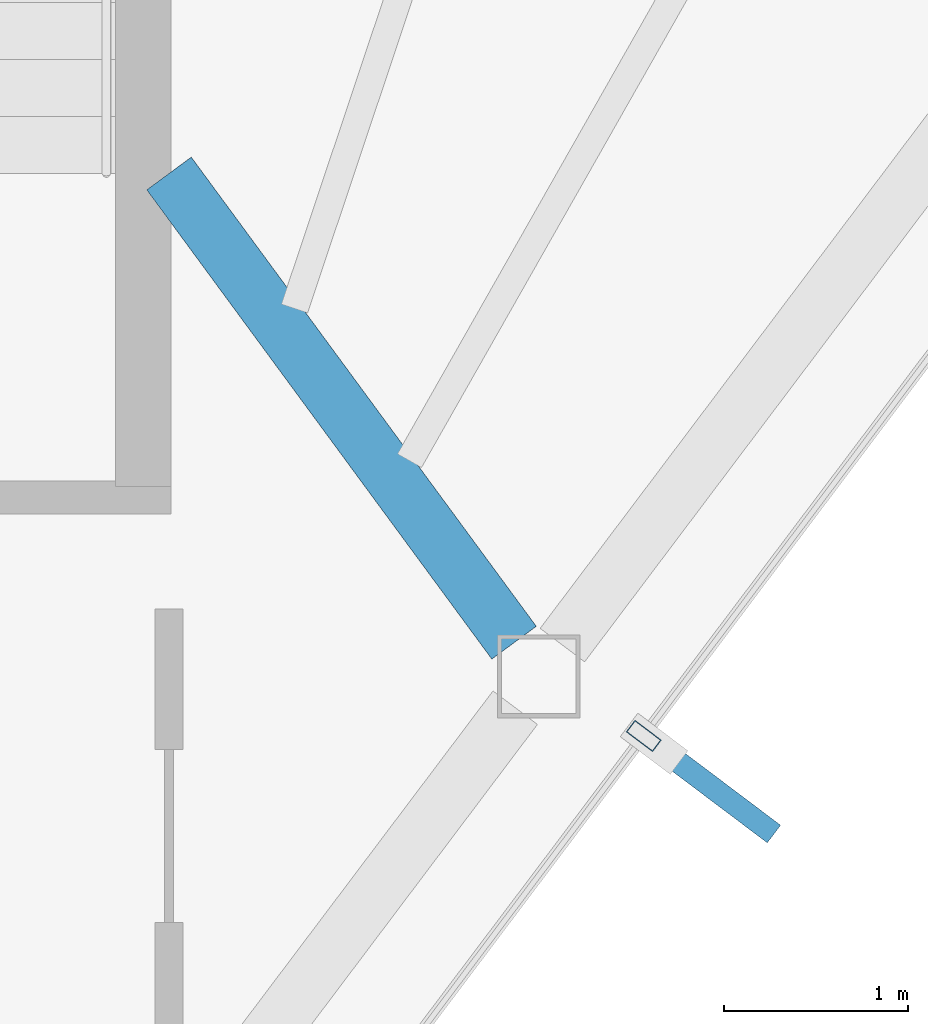
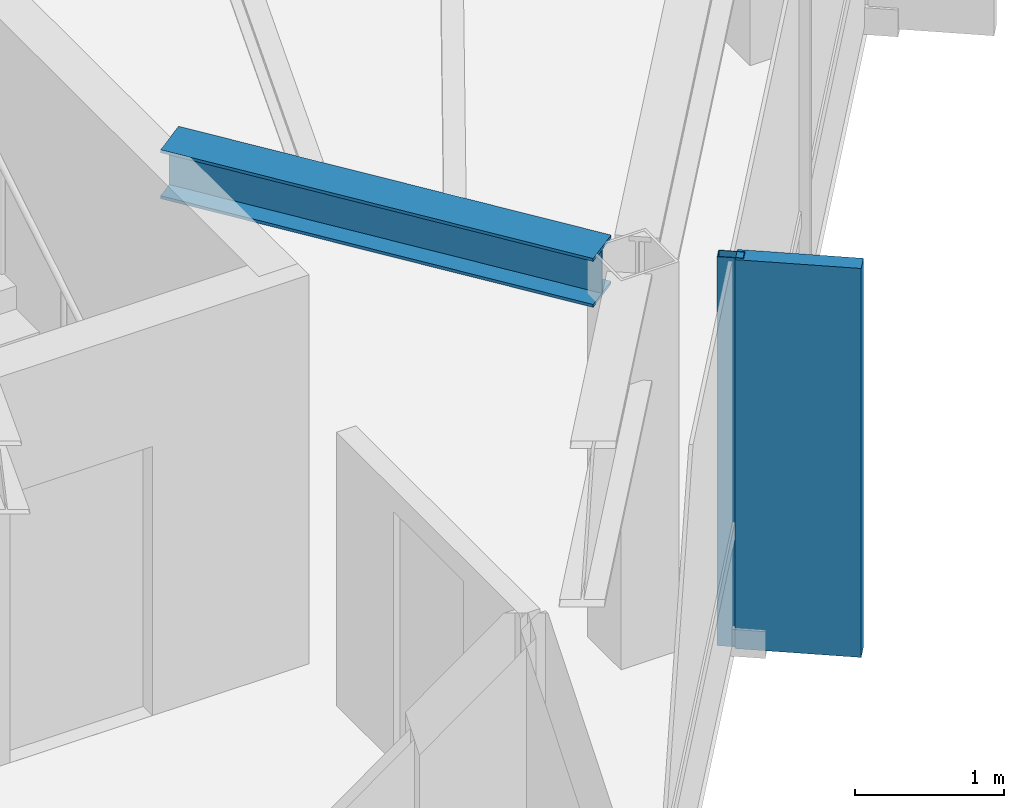
# One storey, part 15 of 22: 2 members, 1 beam, 1 element without a shape of its own.
"""IFC4 building model written with IfcOpenShell, lengths in metres."""

from ifc_helpers import new_model, si_unit, direction, frame, origin, origin_2d, place, context, subcontext, project, spatial, rectangle, hollow_rectangle, i_section, extrude, material, layer, layer_set, material_profile, profile_set, type_object, element, aggregate, save


model = new_model("IFC4")

# Units and contexts
model_context = context("Model", 3, precision=1e-05, world=origin(), true_north=direction((0.0, 1.0)))
body_context = subcontext(model_context, "Body", "Model", "MODEL_VIEW")
ifc_project = project(units=[si_unit("LENGTHUNIT", "METRE"), si_unit("AREAUNIT", "SQUARE_METRE"), si_unit("VOLUMEUNIT", "CUBIC_METRE"), si_unit("PLANEANGLEUNIT", "RADIAN"), si_unit("MASSUNIT", "GRAM", prefix="KILO")], contexts=[model_context])

# Site, building, storey
site_placement = place(None, origin())
site = spatial("IfcSite", under=ifc_project, at=site_placement, CompositionType="ELEMENT")
building_placement = place(site_placement, origin())
building = spatial("IfcBuilding", under=site, at=building_placement, Name="Zarrinselat Tower", CompositionType="ELEMENT")
storey_placement = place(building_placement, frame((0.0, 0.0, 292.39990234375)))
storey = spatial("IfcBuildingStorey", under=building, at=storey_placement, Name="L75", CompositionType="ELEMENT", Elevation=292.39990234375)

# Beam
ifc_material_1 = material(Name="Steel S355J2", Category="steel")
ifc_material_profile_1 = material_profile(ifc_material_1, i_section(OverallWidth=0.300048828125, OverallDepth=0.39990234375, WebThickness=0.013427734375, FlangeThickness=0.02392578125, at=origin_2d()), Name="HEB 400")
ifc_profile_set_1 = profile_set([ifc_material_profile_1], Name="Steel S355J2")
beam_type = type_object("IfcBeamType", Name="BM-HEB400", PredefinedType="BEAM", material=ifc_profile_set_1)
beam_placement = place(storey_placement, frame((48.35009765625, 35.0, 2.97998046875), z_axis=(0.59244054541, -0.805614175741, 0.0), x_axis=(0.805614175741, 0.59244054541, 0.0)))
element("IfcBeam", 1, at=beam_placement, inside=storey, type_object=beam_type, Name="L75 Radial Primary Girder RG13", PredefinedType="BEAM", context=body_context, shape_type="SweptSolid", body=[
    extrude(i_section(OverallWidth=0.300048828125, OverallDepth=0.39990234375, WebThickness=0.013427734375, FlangeThickness=0.02392578125, at=origin_2d()), origin(), (0.0, 0.0, 1.0), 3.163330078125),
])

# Curtain wall, members
ifc_material_2 = material(Name="Extruded Aluminium Alloy EN AW-6063 T6", Category="aluminium")
ifc_layer = layer(ifc_material_2, 0.199951171875)
ifc_layer_set = layer_set([ifc_layer], Name="Extruded Aluminium Alloy EN AW-6063 T6")
curtain_wall_type = type_object("IfcCurtainWallType", Name="CWS-BLADE", PredefinedType="NOTDEFINED", material=ifc_layer_set)
curtain_wall_placement = place(storey_placement, origin())
curtain_wall = element("IfcCurtainWall", 2, at=curtain_wall_placement, inside=storey, type_object=curtain_wall_type, Name="L75 Unitised Curtain Wall CW-L75-E05", PredefinedType="NOTDEFINED")
ifc_material_3 = material(Name="Extruded Aluminium Alloy EN AW-6063 T6", Category="aluminium")
ifc_material_profile_2 = material_profile(ifc_material_3, hollow_rectangle(XDim=0.080078125, YDim=0.179931640625, WallThickness=0.0048828125, at=origin_2d()), Name="RHS 180x80x5")
ifc_profile_set_2 = profile_set([ifc_material_profile_2], Name="Extruded Aluminium Alloy EN AW-6063 T6")
member_type_1 = type_object("IfcMemberType", Name="MEM-CW-MUL", PredefinedType="MULLION", material=ifc_profile_set_2)
member_1_placement = place(storey_placement, frame((50.9287109375, 31.945068359375, 0.0), z_axis=(0.0, 0.0, 1.0), x_axis=(0.601672649155, 0.798742776655, 0.0)))
member_1 = element("IfcMember", 3, at=member_1_placement, type_object=member_type_1, Name="CW-L75-E05 Mullion 5", PredefinedType="MULLION", context=body_context, shape_type="SweptSolid", body=[
    extrude(hollow_rectangle(XDim=0.080078125, YDim=0.179931640625, WallThickness=0.0048828125, at=origin_2d()), origin(), (0.0, 0.0, 1.0), 3.18017578125),
])
ifc_material_4 = material(Name="Honed Cream Travertine Stone", Category="masonry")
ifc_material_profile_3 = material_profile(ifc_material_4, rectangle(XDim=0.1201171875, YDim=0.85009765625, at=origin_2d()), Name="FIN 850x120")
ifc_profile_set_3 = profile_set([ifc_material_profile_3], Name="Honed Cream Travertine Stone")
member_type_2 = type_object("IfcMemberType", Name="MEM-STONE-FIN", PredefinedType="USERDEFINED", material=ifc_profile_set_3)
member_2_placement = place(storey_placement, frame((51.296142578125, 31.668212890625, 0.0), z_axis=(0.0, 0.0, 1.0), x_axis=(-0.601672649155, -0.798742776655, 0.0)))
member_2 = element("IfcMember", 4, at=member_2_placement, type_object=member_type_2, Name="L75 Stone Shading Fin CW-L75-E05-05", ObjectType="FIN", PredefinedType="USERDEFINED", context=body_context, shape_type="SweptSolid", body=[
    extrude(rectangle(XDim=0.1201171875, YDim=0.85009765625, at=origin_2d()), origin(), (0.0, 0.0, 1.0), 3.18017578125),
])
aggregate(curtain_wall, [member_1, member_2])

save(model, "model.ifc")
